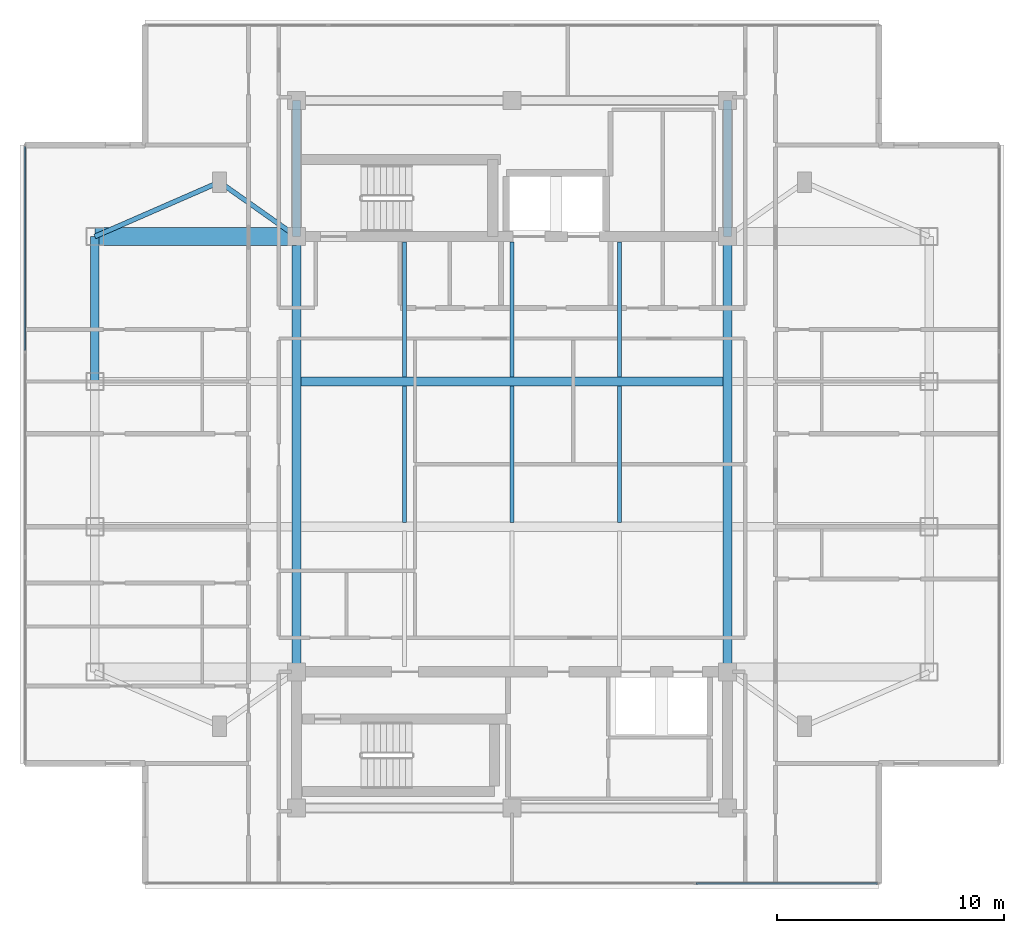
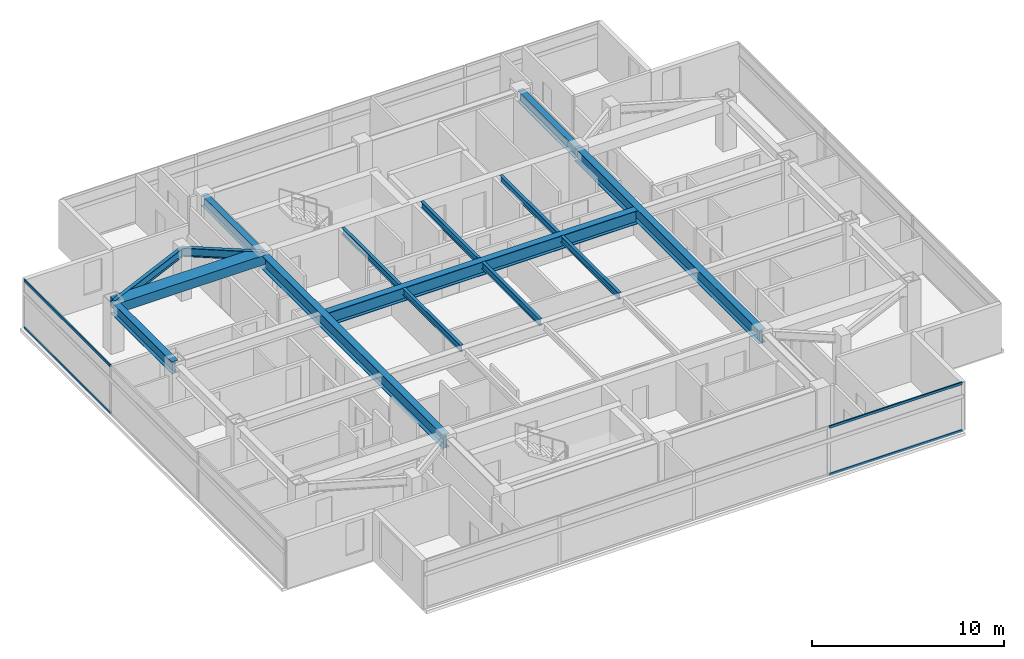
# One storey, part 3 of 14: 15 beams, 4 members, 2 elements without a shape of their own.
"""IFC4 building model written with IfcOpenShell, lengths in metres."""

from ifc_helpers import new_model, si_unit, direction, frame, origin, origin_2d, place, context, subcontext, project, spatial, rectangle, i_section, extrude, material, material_profile, profile_set, type_object, element, aggregate, save


model = new_model("IFC4")

# Units and contexts
model_context = context("Model", 3, precision=1e-05, world=origin(), true_north=direction((0.0, 1.0)))
body_context = subcontext(model_context, "Body", "Model", "MODEL_VIEW")
ifc_project = project(units=[si_unit("LENGTHUNIT", "METRE"), si_unit("AREAUNIT", "SQUARE_METRE"), si_unit("VOLUMEUNIT", "CUBIC_METRE"), si_unit("PLANEANGLEUNIT", "RADIAN"), si_unit("MASSUNIT", "GRAM", prefix="KILO")], contexts=[model_context])

# Site, building, storey
site_placement = place(None, origin())
site = spatial("IfcSite", under=ifc_project, at=site_placement, CompositionType="ELEMENT")
building_placement = place(site_placement, origin())
building = spatial("IfcBuilding", under=site, at=building_placement, Name="Mirazonda Arch Towers", CompositionType="ELEMENT")
storey_placement = place(building_placement, frame((0.0, 0.0, 235.89990234375)))
storey = spatial("IfcBuildingStorey", under=building, at=storey_placement, Name="L67", CompositionType="ELEMENT", Elevation=235.89990234375)

# Beams
ifc_material_1 = material(Name="Steel ASTM A992 Grade 50", Category="steel")
ifc_material_profile_1 = material_profile(ifc_material_1, i_section(OverallWidth=0.381103515625, OverallDepth=0.77294921875, WebThickness=0.0166015625, FlangeThickness=0.027099609375, at=origin_2d()), Name="W30X173")
ifc_profile_set_1 = profile_set([ifc_material_profile_1], Name="Steel ASTM A992 Grade 50")
beam_type_1 = type_object("IfcBeamType", Name="BM-EXT-W30X173", PredefinedType="USERDEFINED", material=ifc_profile_set_1)
beam_1_placement = place(storey_placement, frame((2.10009765625, 31.199951171875, 2.713623046875), z_axis=(0.0, 1.0, 0.0), x_axis=(-1.0, 0.0, 0.0)))
element("IfcBeam", 1, at=beam_1_placement, inside=storey, type_object=beam_type_1, Name="L67 Floor Beam BM-T1-L67-NS-W-31", ObjectType="GIRDER", PredefinedType="USERDEFINED", context=body_context, shape_type="SweptSolid", body=[
    extrude(i_section(OverallWidth=0.381103515625, OverallDepth=0.77294921875, WebThickness=0.0166015625, FlangeThickness=0.027099609375, at=origin_2d()), origin(), (0.0, 0.0, 1.0), 6.400146484375),
])
ifc_material_profile_2 = material_profile(ifc_material_1, i_section(OverallWidth=0.180908203125, OverallDepth=0.4169921875, WebThickness=0.010986328125, FlangeThickness=0.018310546875, at=origin_2d()), Name="W16X57")
ifc_profile_set_2 = profile_set([ifc_material_profile_2], Name="Steel ASTM A992 Grade 50")
beam_type_2 = type_object("IfcBeamType", Name="BM-INT-W16X57", PredefinedType="JOIST", material=ifc_profile_set_2)
beam_2_placement = place(storey_placement, frame((15.75, 31.39599609375, 2.8916015625), z_axis=(0.0, 1.0, 0.0), x_axis=(-1.0, 0.0, 0.0)))
element("IfcBeam", 2, at=beam_2_placement, inside=storey, type_object=beam_type_2, Name="L67 Floor Beam BM-T1-L67-J-157-31", PredefinedType="JOIST", context=body_context, shape_type="SweptSolid", body=[
    extrude(i_section(OverallWidth=0.180908203125, OverallDepth=0.4169921875, WebThickness=0.010986328125, FlangeThickness=0.018310546875, at=origin_2d()), origin(), (0.0, 0.0, 1.0), 5.964111328125),
])
beam_3_placement = place(storey_placement, frame((15.75, 24.99609375, 2.8916015625), z_axis=(0.0, 1.0, 0.0), x_axis=(-1.0, 0.0, 0.0)))
element("IfcBeam", 3, at=beam_3_placement, inside=storey, type_object=beam_type_2, Name="L67 Floor Beam BM-T1-L67-J-157-24", PredefinedType="JOIST", context=body_context, shape_type="SweptSolid", body=[
    extrude(i_section(OverallWidth=0.180908203125, OverallDepth=0.4169921875, WebThickness=0.010986328125, FlangeThickness=0.018310546875, at=origin_2d()), origin(), (0.0, 0.0, 1.0), 6.0078125),
])
beam_4_placement = place(storey_placement, frame((20.5, 31.39599609375, 2.8916015625), z_axis=(0.0, 1.0, 0.0), x_axis=(-1.0, 0.0, 0.0)))
element("IfcBeam", 4, at=beam_4_placement, inside=storey, type_object=beam_type_2, Name="L67 Floor Beam BM-T1-L67-J-205-31", PredefinedType="JOIST", context=body_context, shape_type="SweptSolid", body=[
    extrude(i_section(OverallWidth=0.180908203125, OverallDepth=0.4169921875, WebThickness=0.010986328125, FlangeThickness=0.018310546875, at=origin_2d()), origin(), (0.0, 0.0, 1.0), 5.964111328125),
])
beam_5_placement = place(storey_placement, frame((20.5, 24.99609375, 2.8916015625), z_axis=(0.0, 1.0, 0.0), x_axis=(-1.0, 0.0, 0.0)))
element("IfcBeam", 5, at=beam_5_placement, inside=storey, type_object=beam_type_2, Name="L67 Floor Beam BM-T1-L67-J-205-24", PredefinedType="JOIST", context=body_context, shape_type="SweptSolid", body=[
    extrude(i_section(OverallWidth=0.180908203125, OverallDepth=0.4169921875, WebThickness=0.010986328125, FlangeThickness=0.018310546875, at=origin_2d()), origin(), (0.0, 0.0, 1.0), 6.0078125),
])
beam_6_placement = place(storey_placement, frame((25.25, 31.39599609375, 2.8916015625), z_axis=(0.0, 1.0, 0.0), x_axis=(-1.0, 0.0, 0.0)))
element("IfcBeam", 6, at=beam_6_placement, inside=storey, type_object=beam_type_2, Name="L67 Floor Beam BM-T1-L67-J-252-31", PredefinedType="JOIST", context=body_context, shape_type="SweptSolid", body=[
    extrude(i_section(OverallWidth=0.180908203125, OverallDepth=0.4169921875, WebThickness=0.010986328125, FlangeThickness=0.018310546875, at=origin_2d()), origin(), (0.0, 0.0, 1.0), 5.964111328125),
])
beam_7_placement = place(storey_placement, frame((25.25, 24.99609375, 2.8916015625), z_axis=(0.0, 1.0, 0.0), x_axis=(-1.0, 0.0, 0.0)))
element("IfcBeam", 7, at=beam_7_placement, inside=storey, type_object=beam_type_2, Name="L67 Floor Beam BM-T1-L67-J-252-24", PredefinedType="JOIST", context=body_context, shape_type="SweptSolid", body=[
    extrude(i_section(OverallWidth=0.180908203125, OverallDepth=0.4169921875, WebThickness=0.010986328125, FlangeThickness=0.018310546875, at=origin_2d()), origin(), (0.0, 0.0, 1.0), 6.0078125),
])
ifc_material_profile_3 = material_profile(ifc_material_1, i_section(OverallWidth=0.214111328125, OverallDepth=0.549072265625, WebThickness=0.0146484375, FlangeThickness=0.023681640625, at=origin_2d()), Name="W21X93")
ifc_profile_set_3 = profile_set([ifc_material_profile_3], Name="Steel ASTM A992 Grade 50")
beam_type_3 = type_object("IfcBeamType", Name="BM-INT-W21X93", PredefinedType="BEAM", material=ifc_profile_set_3)
beam_8_placement = place(storey_placement, frame((7.60009765625, 40.0, 2.82568359375), z_axis=(0.816971114901, -0.576678591087, 0.0), x_axis=(0.576678591087, 0.816971114901, 0.0)))
element("IfcBeam", 8, at=beam_8_placement, inside=storey, type_object=beam_type_3, Name="L67 Floor Beam BM-T1-L67-PL-NW1", PredefinedType="BEAM", context=body_context, shape_type="SweptSolid", body=[
    extrude(i_section(OverallWidth=0.214111328125, OverallDepth=0.549072265625, WebThickness=0.0146484375, FlangeThickness=0.023681640625, at=origin_2d()), origin(), (0.0, 0.0, 1.0), 4.16162109375),
])
beam_9_placement = place(storey_placement, frame((7.60009765625, 40.0, 2.82568359375), z_axis=(-0.916545343703, -0.399930785183, 0.0), x_axis=(0.399930785183, -0.916545343703, 0.0)))
element("IfcBeam", 9, at=beam_9_placement, inside=storey, type_object=beam_type_3, Name="L67 Floor Beam BM-T1-L67-PL-NW2", PredefinedType="BEAM", context=body_context, shape_type="SweptSolid", body=[
    extrude(i_section(OverallWidth=0.214111328125, OverallDepth=0.549072265625, WebThickness=0.0146484375, FlangeThickness=0.023681640625, at=origin_2d()), origin(), (0.0, 0.0, 1.0), 6.000732421875),
])
ifc_material_profile_4 = material_profile(ifc_material_1, i_section(OverallWidth=0.35498046875, OverallDepth=0.696044921875, WebThickness=0.015380859375, FlangeThickness=0.02490234375, at=origin_2d()), Name="W27X146")
ifc_profile_set_4 = profile_set([ifc_material_profile_4], Name="Steel ASTM A992 Grade 50")
beam_type_4 = type_object("IfcBeamType", Name="BM-INT-W27X146", PredefinedType="BEAM", material=ifc_profile_set_4)
for number, where, z_axis, x_axis, name in (
    (10, (11.0, 37.60009765625, 2.752197265625), (0.0, 1.0, 0.0), (-1.0, 0.0, 0.0), "L67 Floor Beam BM-T1-L67-CNW"),
    (11, (30.0, 37.60009765625, 2.752197265625), (0.0, 1.0, 0.0), (-1.0, 0.0, 0.0), "L67 Floor Beam BM-T1-L67-CNE"),
):
    element("IfcBeam", number, at=place(storey_placement, frame(where, z_axis=z_axis, x_axis=x_axis)), inside=storey, type_object=beam_type_4, Name=name, PredefinedType="BEAM", context=body_context, shape_type="SweptSolid", body=[
        extrude(i_section(OverallWidth=0.35498046875, OverallDepth=0.696044921875, WebThickness=0.015380859375, FlangeThickness=0.02490234375, at=origin_2d()), origin(), (0.0, 0.0, 1.0), 6.0),
    ])
ifc_material_profile_5 = material_profile(ifc_material_1, i_section(OverallWidth=0.39990234375, OverallDepth=0.85595703125, WebThickness=0.018310546875, FlangeThickness=0.029296875, at=origin_2d()), Name="W33X201")
ifc_profile_set_5 = profile_set([ifc_material_profile_5], Name="Steel ASTM A992 Grade 50")
beam_type_5 = type_object("IfcBeamType", Name="BM-INT-W33X201", PredefinedType="USERDEFINED", material=ifc_profile_set_5)
beam_10_placement = place(storey_placement, frame((11.199951171875, 31.199951171875, 2.672119140625), z_axis=(1.0, 0.0, 0.0), x_axis=(0.0, 1.0, 0.0)))
element("IfcBeam", 12, at=beam_10_placement, inside=storey, type_object=beam_type_5, Name="L67 Floor Beam BM-T1-L67-GC3", ObjectType="GIRDER", PredefinedType="USERDEFINED", context=body_context, shape_type="SweptSolid", body=[
    extrude(i_section(OverallWidth=0.39990234375, OverallDepth=0.85595703125, WebThickness=0.018310546875, FlangeThickness=0.029296875, at=origin_2d()), origin(), (0.0, 0.0, 1.0), 18.60009765625),
])
for number, where, z_axis, x_axis, name in (
    (13, (11.0, 18.39990234375, 2.672119140625), (0.0, 1.0, 0.0), (-1.0, 0.0, 0.0), "L67 Floor Beam BM-T1-L67-NS-CW-FULL"),
    (14, (30.0, 18.39990234375, 2.672119140625), (0.0, 1.0, 0.0), (-1.0, 0.0, 0.0), "L67 Floor Beam BM-T1-L67-NS-CE-FULL"),
):
    element("IfcBeam", number, at=place(storey_placement, frame(where, z_axis=z_axis, x_axis=x_axis)), inside=storey, type_object=beam_type_5, Name=name, ObjectType="GIRDER", PredefinedType="USERDEFINED", context=body_context, shape_type="SweptSolid", body=[
        extrude(i_section(OverallWidth=0.39990234375, OverallDepth=0.85595703125, WebThickness=0.018310546875, FlangeThickness=0.029296875, at=origin_2d()), origin(), (0.0, 0.0, 1.0), 19.2001953125),
    ])
ifc_material_2 = material(Name="Concrete C60/75", Category="concrete")
ifc_material_profile_6 = material_profile(ifc_material_2, rectangle(XDim=0.800048828125, YDim=0.60009765625, at=origin_2d()), Name="RCCB800x600")
ifc_profile_set_6 = profile_set([ifc_material_profile_6], Name="Concrete C60/75")
beam_type_6 = type_object("IfcBeamType", Name="CB-INT-RCCB800x600", PredefinedType="SPANDREL", material=ifc_profile_set_6)
beam_11_placement = place(storey_placement, frame((2.10009765625, 37.60009765625, 2.800048828125), z_axis=(1.0, 0.0, 0.0), x_axis=(0.0, 1.0, 0.0)))
element("IfcBeam", 15, at=beam_11_placement, inside=storey, type_object=beam_type_6, Name="L67 Floor Beam CBC-T1-L67-NW", PredefinedType="SPANDREL", context=body_context, shape_type="SweptSolid", body=[
    extrude(rectangle(XDim=0.800048828125, YDim=0.60009765625, at=origin_2d()), origin(), (0.0, 0.0, 1.0), 8.89990234375),
])

# Curtain wall, members
ifc_material_3 = material(Name="Anodised Aluminium and Low-E Glass", Category="aluminium")
curtain_wall_type = type_object("IfcCurtainWallType", Name="CW-RES-UNIT", PredefinedType="NOTDEFINED", material=ifc_material_3)
curtain_wall_1_placement = place(storey_placement, origin())
curtain_wall_1 = element("IfcCurtainWall", 16, at=curtain_wall_1_placement, inside=storey, type_object=curtain_wall_type, Name="L67 T1 S Facade CW-L67-T1-S", PredefinedType="NOTDEFINED")
ifc_material_4 = material(Name="Anodised Aluminium Alloy", Category="aluminium")
ifc_material_profile_7 = material_profile(ifc_material_4, rectangle(XDim=0.074951171875, YDim=0.155029296875, at=origin_2d()), Name="ALU-TRAN-75x155")
ifc_profile_set_7 = profile_set([ifc_material_profile_7], Name="Anodised Aluminium Alloy")
member_type = type_object("IfcMemberType", Name="TRAN-CW-RES-UNIT", PredefinedType="USERDEFINED", material=ifc_profile_set_7)
member_1_placement = place(storey_placement, frame((36.614990234375, 9.070068359375, 0.03759765625), z_axis=(-1.0, 0.0, 0.0), x_axis=(0.0, -1.0, 0.0)))
member_1 = element("IfcMember", 17, at=member_1_placement, type_object=member_type, Name="CW-104 transom 1.1", ObjectType="TRANSOM", PredefinedType="USERDEFINED", context=body_context, shape_type="SweptSolid", body=[
    extrude(rectangle(XDim=0.074951171875, YDim=0.155029296875, at=origin_2d()), origin(), (0.0, 0.0, 1.0), 7.982421875),
])
member_2_placement = place(storey_placement, frame((36.614990234375, 9.070068359375, 3.04248046875), z_axis=(-1.0, 0.0, 0.0), x_axis=(0.0, -1.0, 0.0)))
member_2 = element("IfcMember", 18, at=member_2_placement, type_object=member_type, Name="CW-104 transom 1.2", ObjectType="TRANSOM", PredefinedType="USERDEFINED", context=body_context, shape_type="SweptSolid", body=[
    extrude(rectangle(XDim=0.074951171875, YDim=0.155029296875, at=origin_2d()), origin(), (0.0, 0.0, 1.0), 7.982421875),
])
aggregate(curtain_wall_1, [member_1, member_2])

curtain_wall_2_placement = place(storey_placement, origin())
curtain_wall_2 = element("IfcCurtainWall", 19, at=curtain_wall_2_placement, inside=storey, type_object=curtain_wall_type, Name="L67 T1 W Facade CW-L67-T1-W", PredefinedType="NOTDEFINED")
member_3_placement = place(storey_placement, frame((-0.97998046875, 41.56494140625, 0.03759765625), z_axis=(0.0, -1.0, 0.0), x_axis=(1.0, 0.0, 0.0)))
member_3 = element("IfcMember", 20, at=member_3_placement, type_object=member_type, Name="CW-104 transom 1.1", ObjectType="TRANSOM", PredefinedType="USERDEFINED", context=body_context, shape_type="SweptSolid", body=[
    extrude(rectangle(XDim=0.074951171875, YDim=0.155029296875, at=origin_2d()), origin(), (0.0, 0.0, 1.0), 8.980712890625),
])
member_4_placement = place(storey_placement, frame((-0.97998046875, 41.56494140625, 3.04248046875), z_axis=(0.0, -1.0, 0.0), x_axis=(1.0, 0.0, 0.0)))
member_4 = element("IfcMember", 21, at=member_4_placement, type_object=member_type, Name="CW-104 transom 1.2", ObjectType="TRANSOM", PredefinedType="USERDEFINED", context=body_context, shape_type="SweptSolid", body=[
    extrude(rectangle(XDim=0.074951171875, YDim=0.155029296875, at=origin_2d()), origin(), (0.0, 0.0, 1.0), 8.980712890625),
])
aggregate(curtain_wall_2, [member_3, member_4])

save(model, "model.ifc")
